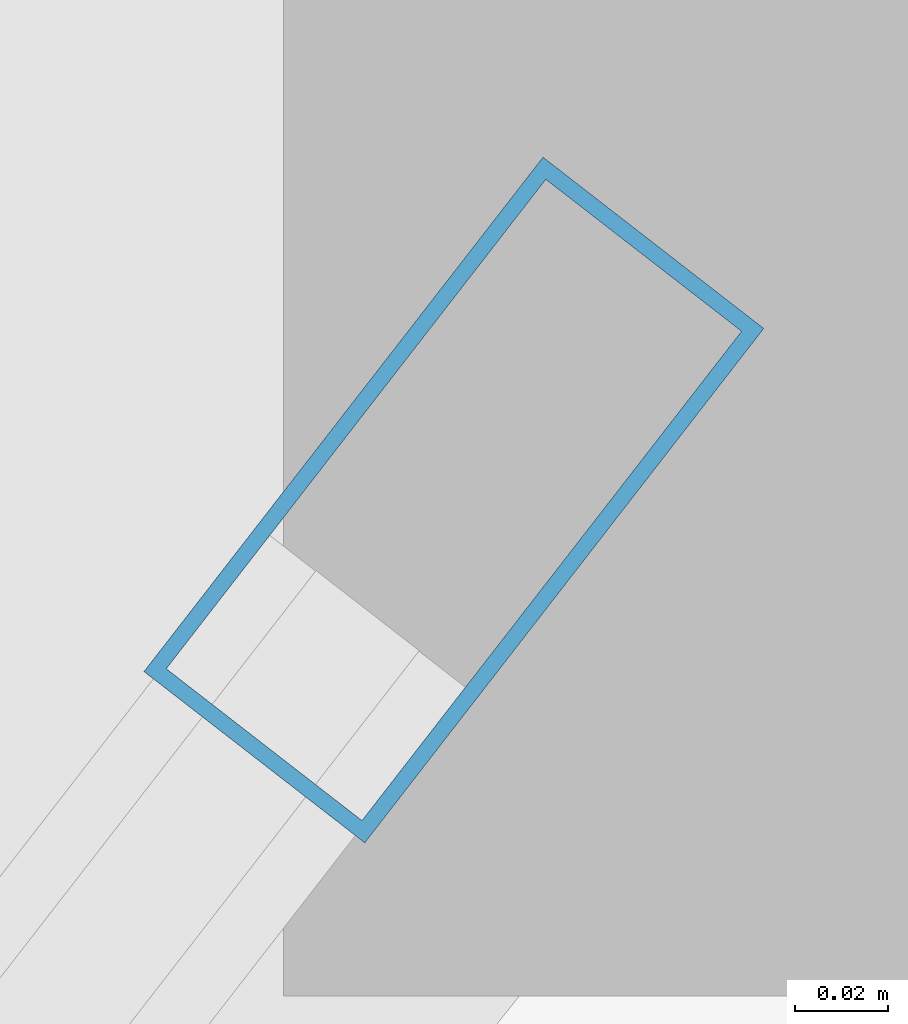
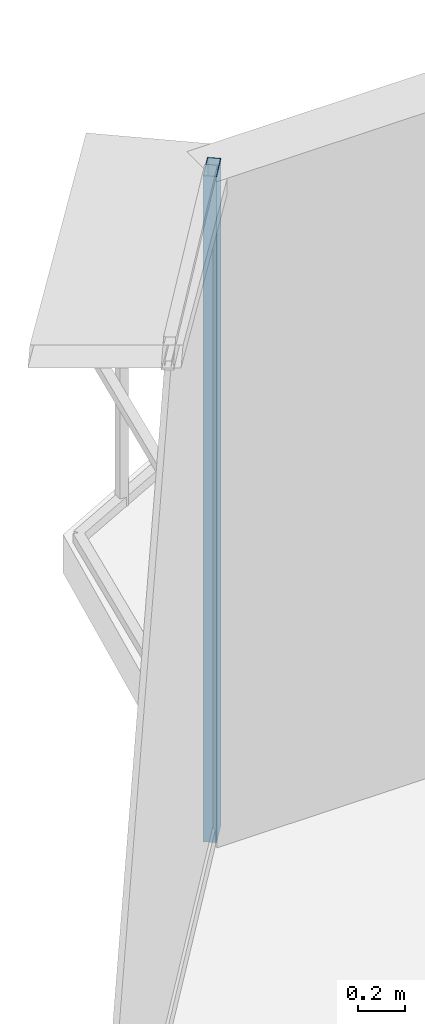
# One storey, part 22 of 33: 1 member, 1 element without a shape of its own.
"""IFC4 building model written with IfcOpenShell, lengths in metres."""

from ifc_helpers import new_model, si_unit, direction, frame, origin, origin_2d, place, context, subcontext, project, spatial, hollow_rectangle, extrude, source, transform, mapped, material, layer, layer_set, material_profile, profile_set, type_object, element, aggregate, save


model = new_model("IFC4")

# Units and contexts
model_context = context("Model", 3, precision=1e-05, world=origin(), true_north=direction((0.0, 1.0)))
body_context = subcontext(model_context, "Body", "Model", "MODEL_VIEW")
ifc_project = project(units=[si_unit("LENGTHUNIT", "METRE"), si_unit("AREAUNIT", "SQUARE_METRE"), si_unit("VOLUMEUNIT", "CUBIC_METRE"), si_unit("PLANEANGLEUNIT", "RADIAN"), si_unit("MASSUNIT", "GRAM", prefix="KILO"), si_unit("THERMODYNAMICTEMPERATUREUNIT", "KELVIN"), si_unit("POWERUNIT", "WATT")], contexts=[model_context])

# Site, building, storey
site_placement = place(None, origin())
site = spatial("IfcSite", under=ifc_project, at=site_placement, CompositionType="ELEMENT")
building_placement = place(site_placement, origin())
building = spatial("IfcBuilding", under=site, at=building_placement, Name="Yunzhuo Pagoda Commons", CompositionType="ELEMENT")
storey_placement = place(building_placement, frame((0.0, 0.0, 329.260009765625)))
storey = spatial("IfcBuildingStorey", under=building, at=storey_placement, Name="L82", CompositionType="ELEMENT", Elevation=329.260009765625)

# Curtain wall, member
ifc_material = material(Name="Anodized aluminium 6063-T6", Category="aluminium")
ifc_layer = layer(ifc_material, 0.139892578125)
ifc_layer_set = layer_set([ifc_layer], Name="Anodized aluminium 6063-T6")
curtain_wall_type = type_object("IfcCurtainWallType", Name="CW-HI High-Zone Ribbon Curtain Wall", PredefinedType="NOTDEFINED", material=ifc_layer_set)
curtain_wall_placement = place(storey_placement, origin())
curtain_wall = element("IfcCurtainWall", 1, at=curtain_wall_placement, inside=storey, type_object=curtain_wall_type, Name="L82 curtain wall CW-L82-F3B1", PredefinedType="NOTDEFINED")
ifc_material_profile = material_profile(ifc_material, hollow_rectangle(XDim=0.06005859375, YDim=0.139892578125, WallThickness=0.00341796875, at=origin_2d()), Name="Anodized aluminium 6063-T6")
ifc_profile_set = profile_set([ifc_material_profile], Name="Anodized aluminium 6063-T6")
member_type = type_object("IfcMemberType", Name="CW-HI-M Mullion RHS 140x60x3.5", PredefinedType="MULLION", material=ifc_profile_set)
shared_shape = source(origin(), body_context, "Body", "SweptSolid", [
    extrude(hollow_rectangle(XDim=0.06005859375, YDim=0.139892578125, WallThickness=0.00341796875, at=origin_2d()), origin(), (0.0, 0.0, 1.0), 3.489990234375),
])
member_placement = place(storey_placement, frame((44.793212890625, 72.759765625, 0.0), z_axis=(0.0, 0.0, 1.0), x_axis=(0.790146906982, -0.612917502921, 0.0)))
member = element("IfcMember", 2, at=member_placement, type_object=member_type, Name="CW mullion 1", PredefinedType="MULLION", context=body_context, shape_type="MappedRepresentation", body=[
    mapped(shared_shape, transform((0.0, 0.0, 0.0), scale=1.0)),
])
aggregate(curtain_wall, [member])

save(model, "model.ifc")
